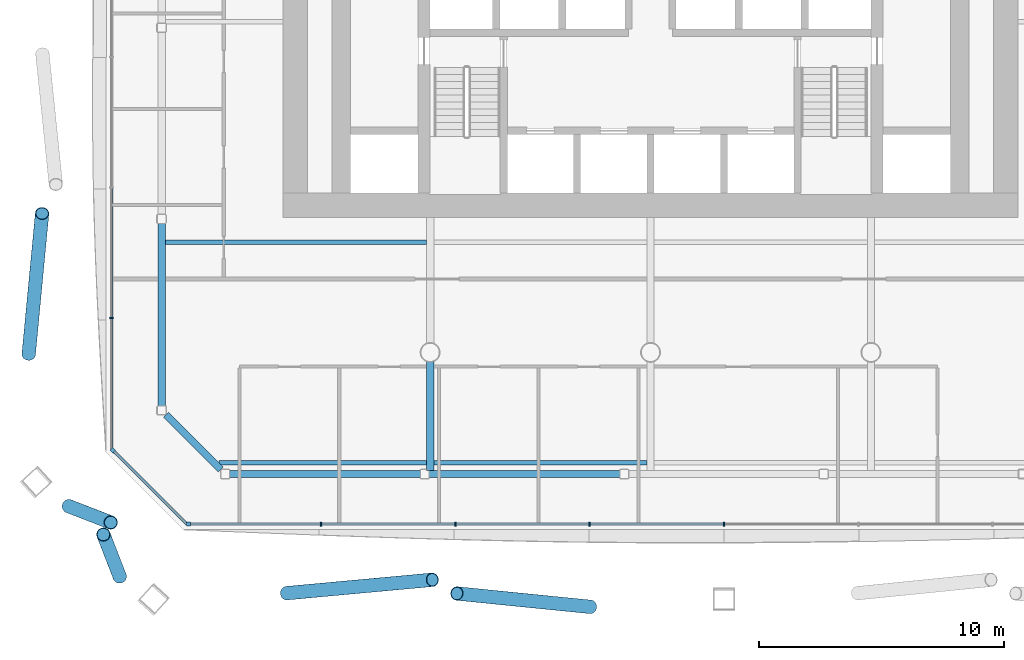
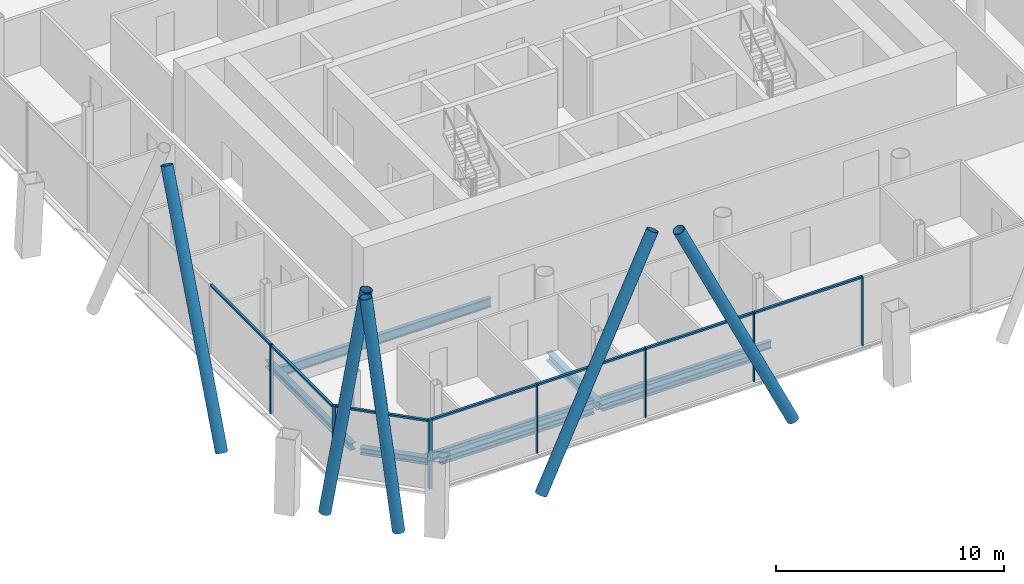
# One storey, part 3 of 22: 19 members, 8 beams, 3 elements without a shape of their own.
"""IFC4 building model written with IfcOpenShell, lengths in metres."""

from ifc_helpers import new_model, si_unit, direction, frame, origin, origin_2d, place, context, subcontext, project, spatial, rectangle, hollow_circle, i_section, extrude, material, material_profile, profile_set, type_object, element, aggregate, save


model = new_model("IFC4")

# Units and contexts
model_context = context("Model", 3, precision=1e-05, world=origin(), true_north=direction((0.0, 1.0)))
body_context = subcontext(model_context, "Body", "Model", "MODEL_VIEW")
ifc_project = project(units=[si_unit("LENGTHUNIT", "METRE"), si_unit("AREAUNIT", "SQUARE_METRE"), si_unit("VOLUMEUNIT", "CUBIC_METRE"), si_unit("PLANEANGLEUNIT", "RADIAN"), si_unit("MASSUNIT", "GRAM", prefix="KILO")], contexts=[model_context])

# Site, building, storey
site_placement = place(None, origin())
site = spatial("IfcSite", under=ifc_project, at=site_placement, CompositionType="ELEMENT")
building_placement = place(site_placement, origin())
building = spatial("IfcBuilding", under=site, at=building_placement, Name="Tskaro Facet Tower", CompositionType="ELEMENT")
storey_placement = place(building_placement, frame((0.0, 0.0, 73.800048828125)))
storey = spatial("IfcBuildingStorey", under=building, at=storey_placement, Name="L17", CompositionType="ELEMENT", Elevation=73.800048828125)

# Members
ifc_material_1 = material(Name="Steel S355J2H", Category="steel")
ifc_material_profile_1 = material_profile(ifc_material_1, hollow_circle(Radius=0.279541015625, WallThickness=0.02490234375, at=origin_2d()), Name="CHS 559x25")
ifc_profile_set_1 = profile_set([ifc_material_profile_1], Name="Steel S355J2H")
member_type_1 = type_object("IfcMemberType", Name="CHS 559x25 brace", PredefinedType="BRACE", material=ifc_profile_set_1)
member_1_placement = place(storey_placement, frame((-14.862060546875, -27.83154296875, 0.0), z_axis=(0.453152917497, 0.041714298006, 0.89045625985), x_axis=(-0.091665907054, 0.995789817925, 0.0)))
element("IfcMember", 1, at=member_1_placement, inside=storey, type_object=member_type_1, Name="CHS 559x25 XB01A/2", PredefinedType="BRACE", context=body_context, shape_type="SweptSolid", body=[
    extrude(hollow_circle(Radius=0.279541015625, WallThickness=0.02490234375, at=origin_2d()), origin(), (0.0, 0.0, 1.0), 13.13916015625),
])
member_2_placement = place(storey_placement, frame((-2.453857421875, -28.390380859375, 0.0), z_axis=(-0.422100605989, 0.042402800602, 0.905556779515), x_axis=(-0.099953544788, -0.994992104936, 0.0)))
element("IfcMember", 2, at=member_2_placement, inside=storey, type_object=member_type_1, Name="CHS 559x25 XB01B/2", PredefinedType="BRACE", context=body_context, shape_type="SweptSolid", body=[
    extrude(hollow_circle(Radius=0.279541015625, WallThickness=0.02490234375, at=origin_2d()), origin(), (0.0, 0.0, 1.0), 12.920166015625),
])
member_3_placement = place(storey_placement, frame((-25.390380859375, -18.0712890625, 0.0), z_axis=(0.041994519137, 0.440362312746, 0.896837495802), x_axis=(-0.995483676483, 0.094932870257, 0.0)))
element("IfcMember", 3, at=member_3_placement, inside=storey, type_object=member_type_1, Name="CHS 559x25 XB11B/2", PredefinedType="BRACE", context=body_context, shape_type="SweptSolid", body=[
    extrude(hollow_circle(Radius=0.279541015625, WallThickness=0.02490234375, at=origin_2d()), origin(), (0.0, 0.0, 1.0), 13.0458984375),
])
for number, where, z_axis, x_axis, name in (
    (4, (-23.750244140625, -24.281005859375, 0.0), (0.144468830784, -0.055969303022, 0.987925196587), (0.36125165478, 0.932468359741, 0.0), "CHS 559x25 XB12A/2"),
    (5, (-21.67626953125, -27.145751953125, 0.0), (-0.055969136323, 0.144489015281, 0.987922254149), (-0.932485720907, -0.361206838674, 0.0), "CHS 559x25 XB12B/2"),
):
    element("IfcMember", number, at=place(storey_placement, frame(where, z_axis=z_axis, x_axis=x_axis)), inside=storey, type_object=member_type_1, Name=name, PredefinedType="BRACE", context=body_context, shape_type="SweptSolid", body=[
        extrude(hollow_circle(Radius=0.279541015625, WallThickness=0.02490234375, at=origin_2d()), origin(), (0.0, 0.0, 1.0), 11.843017578125),
    ])

# Curtain wall, member
ifc_material_2 = material(Name="Bronze anodised aluminium 6063-T6", Category="aluminium")
curtain_wall_type = type_object("IfcCurtainWallType", Name="Bronze office curtain wall (FW1)", PredefinedType="NOTDEFINED", material=ifc_material_2)
curtain_wall_1_placement = place(storey_placement, origin())
curtain_wall_1 = element("IfcCurtainWall", 6, at=curtain_wall_1_placement, inside=storey, type_object=curtain_wall_type, Name="FW1 south facet L17", PredefinedType="NOTDEFINED")
ifc_material_profile_2 = material_profile(ifc_material_2, rectangle(XDim=0.159912109375, YDim=0.159912109375, at=origin_2d()), Name="Corner post 160x160")
ifc_profile_set_2 = profile_set([ifc_material_profile_2], Name="Bronze anodised aluminium 6063-T6")
member_type_2 = type_object("IfcMemberType", Name="FW1 bronze corner post 160x160", PredefinedType="MULLION", material=ifc_profile_set_2)
member_4_placement = place(storey_placement, frame((-18.85888671875, -25.010986328125, 0.0), z_axis=(0.0, 0.0, 1.0), x_axis=(1.0, 0.0, 0.0)))
member_4 = element("IfcMember", 7, at=member_4_placement, type_object=member_type_2, Name="FW1 south corner post", PredefinedType="MULLION", context=body_context, shape_type="SweptSolid", body=[
    extrude(rectangle(XDim=0.159912109375, YDim=0.159912109375, at=origin_2d()), origin(), (0.0, 0.0, 1.0), 3.699951171875),
])

curtain_wall_2_placement = place(storey_placement, origin())
curtain_wall_2 = element("IfcCurtainWall", 8, at=curtain_wall_2_placement, inside=storey, type_object=curtain_wall_type, Name="FW1 south-west facet L17", PredefinedType="NOTDEFINED")
member_5_placement = place(storey_placement, frame((-21.954345703125, -21.99560546875, 0.0), z_axis=(0.0, 0.0, 1.0), x_axis=(0.707106781187, -0.707106781187, 0.0)))
member_5 = element("IfcMember", 9, at=member_5_placement, type_object=member_type_2, Name="FW1 south-west corner post", PredefinedType="MULLION", context=body_context, shape_type="SweptSolid", body=[
    extrude(rectangle(XDim=0.159912109375, YDim=0.159912109375, at=origin_2d()), origin(), (0.0, 0.0, 1.0), 3.699951171875),
])

# Member
ifc_material_profile_3 = material_profile(ifc_material_2, rectangle(XDim=0.06005859375, YDim=0.159912109375, at=origin_2d()), Name="Mullion 60x160")
ifc_profile_set_3 = profile_set([ifc_material_profile_3], Name="Bronze anodised aluminium 6063-T6")
member_type_3 = type_object("IfcMemberType", Name="FW1 bronze mullion 60x160", PredefinedType="MULLION", material=ifc_profile_set_3)
member_6_placement = place(storey_placement, frame((-13.454345703125, -25.010986328125, 0.0), z_axis=(0.0, 0.0, 1.0), x_axis=(1.0, 0.0, 0.0)))
member_6 = element("IfcMember", 10, at=member_6_placement, type_object=member_type_3, Name="FW1 south mullion 1", PredefinedType="MULLION", context=body_context, shape_type="SweptSolid", body=[
    extrude(rectangle(XDim=0.06005859375, YDim=0.159912109375, at=origin_2d()), origin(), (0.0, 0.0, 1.0), 3.699951171875),
])

member_7_placement = place(storey_placement, frame((-7.969482421875, -25.010986328125, 0.0), z_axis=(0.0, 0.0, 1.0), x_axis=(1.0, 0.0, 0.0)))
member_7 = element("IfcMember", 11, at=member_7_placement, type_object=member_type_3, Name="FW1 south mullion 2", PredefinedType="MULLION", context=body_context, shape_type="SweptSolid", body=[
    extrude(rectangle(XDim=0.06005859375, YDim=0.159912109375, at=origin_2d()), origin(), (0.0, 0.0, 1.0), 3.699951171875),
])

member_8_placement = place(storey_placement, frame((-2.48486328125, -25.010986328125, 0.0), z_axis=(0.0, 0.0, 1.0), x_axis=(1.0, 0.0, 0.0)))
member_8 = element("IfcMember", 12, at=member_8_placement, type_object=member_type_3, Name="FW1 south mullion 3", PredefinedType="MULLION", context=body_context, shape_type="SweptSolid", body=[
    extrude(rectangle(XDim=0.06005859375, YDim=0.159912109375, at=origin_2d()), origin(), (0.0, 0.0, 1.0), 3.699951171875),
])

member_9_placement = place(storey_placement, frame((3.0, -25.010986328125, 0.0), z_axis=(0.0, 0.0, 1.0), x_axis=(1.0, 0.0, 0.0)))
member_9 = element("IfcMember", 13, at=member_9_placement, type_object=member_type_3, Name="FW1 south mullion 4", PredefinedType="MULLION", context=body_context, shape_type="SweptSolid", body=[
    extrude(rectangle(XDim=0.06005859375, YDim=0.159912109375, at=origin_2d()), origin(), (0.0, 0.0, 1.0), 3.699951171875),
])

# Curtain wall, member
curtain_wall_3_placement = place(storey_placement, origin())
curtain_wall_3 = element("IfcCurtainWall", 14, at=curtain_wall_3_placement, inside=storey, type_object=curtain_wall_type, Name="FW1 west facet L17", PredefinedType="NOTDEFINED")
member_10_placement = place(storey_placement, frame((-22.010986328125, -16.603515625, 0.0), z_axis=(0.0, 0.0, 1.0), x_axis=(0.0, -1.0, 0.0)))
member_10 = element("IfcMember", 15, at=member_10_placement, type_object=member_type_3, Name="FW1 west mullion 7", PredefinedType="MULLION", context=body_context, shape_type="SweptSolid", body=[
    extrude(rectangle(XDim=0.06005859375, YDim=0.159912109375, at=origin_2d()), origin(), (0.0, 0.0, 1.0), 3.699951171875),
])

# Member
ifc_material_profile_4 = material_profile(ifc_material_2, rectangle(XDim=0.1201171875, YDim=0.10009765625, at=origin_2d()), Name="Transom 120x100")
ifc_profile_set_4 = profile_set([ifc_material_profile_4], Name="Bronze anodised aluminium 6063-T6")
member_type_4 = type_object("IfcMemberType", Name="FW1 bronze transom 120x100", PredefinedType="USERDEFINED", material=ifc_profile_set_4)
member_11_placement = place(storey_placement, frame((-18.779052734375, -25.010986328125, 3.64990234375), z_axis=(1.0, 0.0, 0.0), x_axis=(0.0, 1.0, 0.0)))
member_11 = element("IfcMember", 16, at=member_11_placement, type_object=member_type_4, Name="FW1 south transom 1.1", ObjectType="TRANSOM", PredefinedType="USERDEFINED", context=body_context, shape_type="SweptSolid", body=[
    extrude(rectangle(XDim=0.1201171875, YDim=0.10009765625, at=origin_2d()), origin(), (0.0, 0.0, 1.0), 5.294921875),
])

member_12_placement = place(storey_placement, frame((-13.42431640625, -25.010986328125, 3.64990234375), z_axis=(1.0, 0.0, 0.0), x_axis=(0.0, 1.0, 0.0)))
member_12 = element("IfcMember", 17, at=member_12_placement, type_object=member_type_4, Name="FW1 south transom 2.1", ObjectType="TRANSOM", PredefinedType="USERDEFINED", context=body_context, shape_type="SweptSolid", body=[
    extrude(rectangle(XDim=0.1201171875, YDim=0.10009765625, at=origin_2d()), origin(), (0.0, 0.0, 1.0), 5.4248046875),
])

member_13_placement = place(storey_placement, frame((-7.939453125, -25.010986328125, 3.64990234375), z_axis=(1.0, 0.0, 0.0), x_axis=(0.0, 1.0, 0.0)))
member_13 = element("IfcMember", 18, at=member_13_placement, type_object=member_type_4, Name="FW1 south transom 3.1", ObjectType="TRANSOM", PredefinedType="USERDEFINED", context=body_context, shape_type="SweptSolid", body=[
    extrude(rectangle(XDim=0.1201171875, YDim=0.10009765625, at=origin_2d()), origin(), (0.0, 0.0, 1.0), 5.4248046875),
])

member_14_placement = place(storey_placement, frame((-2.454833984375, -25.010986328125, 3.64990234375), z_axis=(1.0, 0.0, 0.0), x_axis=(0.0, 1.0, 0.0)))
member_14 = element("IfcMember", 19, at=member_14_placement, type_object=member_type_4, Name="FW1 south transom 4.1", ObjectType="TRANSOM", PredefinedType="USERDEFINED", context=body_context, shape_type="SweptSolid", body=[
    extrude(rectangle(XDim=0.1201171875, YDim=0.10009765625, at=origin_2d()), origin(), (0.0, 0.0, 1.0), 5.4248046875),
])

aggregate(curtain_wall_1, [member_4, member_6, member_7, member_8, member_9, member_11, member_12, member_13, member_14])

member_15_placement = place(storey_placement, frame((-22.010986328125, -11.29833984375, 3.64990234375), z_axis=(0.0, -1.0, 0.0), x_axis=(1.0, 0.0, 0.0)))
member_15 = element("IfcMember", 20, at=member_15_placement, type_object=member_type_4, Name="FW1 west transom 7.1", ObjectType="TRANSOM", PredefinedType="USERDEFINED", context=body_context, shape_type="SweptSolid", body=[
    extrude(rectangle(XDim=0.1201171875, YDim=0.10009765625, at=origin_2d()), origin(), (0.0, 0.0, 1.0), 5.275390625),
])

member_16_placement = place(storey_placement, frame((-22.010986328125, -16.633544921875, 3.64990234375), z_axis=(0.0, -1.0, 0.0), x_axis=(1.0, 0.0, 0.0)))
member_16 = element("IfcMember", 21, at=member_16_placement, type_object=member_type_4, Name="FW1 west transom 8.1", ObjectType="TRANSOM", PredefinedType="USERDEFINED", context=body_context, shape_type="SweptSolid", body=[
    extrude(rectangle(XDim=0.1201171875, YDim=0.10009765625, at=origin_2d()), origin(), (0.0, 0.0, 1.0), 5.305419921875),
])

aggregate(curtain_wall_3, [member_10, member_15, member_16])

member_17_placement = place(storey_placement, frame((-21.89794921875, -22.05224609375, 3.64990234375), z_axis=(0.70713595286, -0.70707760831, 0.0), x_axis=(0.70707760831, 0.70713595286, 0.0)))
member_17 = element("IfcMember", 22, at=member_17_placement, type_object=member_type_4, Name="FW1 south-west transom 1.1", ObjectType="TRANSOM", PredefinedType="USERDEFINED", context=body_context, shape_type="SweptSolid", body=[
    extrude(rectangle(XDim=0.1201171875, YDim=0.10009765625, at=origin_2d()), origin(), (0.0, 0.0, 1.0), 4.1845703125),
])

aggregate(curtain_wall_2, [member_5, member_17])

# Beams
ifc_material_3 = material(Name="Steel S355J2", Category="steel")
ifc_material_profile_5 = material_profile(ifc_material_3, i_section(OverallWidth=0.300048828125, OverallDepth=0.360107421875, WebThickness=0.012451171875, FlangeThickness=0.0224609375, FilletRadius=0.027099609375, at=origin_2d()), Name="HE 360 B")
ifc_profile_set_5 = profile_set([ifc_material_profile_5], Name="Steel S355J2")
beam_type_1 = type_object("IfcBeamType", Name="HE 360 B ring beam", PredefinedType="BEAM", material=ifc_profile_set_5)
beam_1_placement = place(storey_placement, frame((-17.18408203125, -22.965087890625, -0.320068359375), z_axis=(1.0, 0.0, 0.0), x_axis=(0.0, 1.0, 0.0)))
element("IfcBeam", 23, at=beam_1_placement, inside=storey, type_object=beam_type_1, Name="HE 360 B EB1-2", PredefinedType="BEAM", context=body_context, shape_type="SweptSolid", body=[
    extrude(i_section(OverallWidth=0.300048828125, OverallDepth=0.360107421875, WebThickness=0.012451171875, FlangeThickness=0.0224609375, FilletRadius=0.027099609375, at=origin_2d()), origin(), (0.0, 0.0, 1.0), 7.7861328125),
])
beam_2_placement = place(storey_placement, frame((-9.0380859375, -22.965087890625, -0.320068359375), z_axis=(1.0, 0.0, 0.0), x_axis=(0.0, 1.0, 0.0)))
element("IfcBeam", 24, at=beam_2_placement, inside=storey, type_object=beam_type_1, Name="HE 360 B EB2-2", PredefinedType="BEAM", context=body_context, shape_type="SweptSolid", body=[
    extrude(i_section(OverallWidth=0.300048828125, OverallDepth=0.360107421875, WebThickness=0.012451171875, FlangeThickness=0.0224609375, FilletRadius=0.027099609375, at=origin_2d()), origin(), (0.0, 0.0, 1.0), 7.78515625),
])
beam_3_placement = place(storey_placement, frame((-19.965087890625, -12.73291015625, -0.320068359375), z_axis=(0.0, -1.0, 0.0), x_axis=(1.0, 0.0, 0.0)))
element("IfcBeam", 25, at=beam_3_placement, inside=storey, type_object=beam_type_1, Name="HE 360 B EB23-2", PredefinedType="BEAM", context=body_context, shape_type="SweptSolid", body=[
    extrude(i_section(OverallWidth=0.300048828125, OverallDepth=0.360107421875, WebThickness=0.012451171875, FlangeThickness=0.0224609375, FilletRadius=0.027099609375, at=origin_2d()), origin(), (0.0, 0.0, 1.0), 7.451171875),
])
beam_4_placement = place(storey_placement, frame((-19.779052734375, -20.5498046875, -0.320068359375), z_axis=(0.707106781187, -0.707106781187, 0.0), x_axis=(0.707106781187, 0.707106781187, 0.0)))
element("IfcBeam", 26, at=beam_4_placement, inside=storey, type_object=beam_type_1, Name="HE 360 B EB24-2", PredefinedType="BEAM", context=body_context, shape_type="SweptSolid", body=[
    extrude(i_section(OverallWidth=0.300048828125, OverallDepth=0.360107421875, WebThickness=0.012451171875, FlangeThickness=0.0224609375, FilletRadius=0.027099609375, at=origin_2d()), origin(), (0.0, 0.0, 1.0), 3.152587890625),
])
ifc_material_profile_6 = material_profile(ifc_material_3, i_section(OverallWidth=0.300048828125, OverallDepth=0.43994140625, WebThickness=0.011474609375, FlangeThickness=0.02099609375, FilletRadius=0.027099609375, at=origin_2d()), Name="HE 450 A")
ifc_profile_set_6 = profile_set([ifc_material_profile_6], Name="Steel S355J2")
beam_type_2 = type_object("IfcBeamType", Name="HE 450 A girder", PredefinedType="BEAM", material=ifc_profile_set_6)
beam_5_placement = place(storey_placement, frame((-9.0, -22.81494140625, -0.360107421875), z_axis=(0.0, 1.0, 0.0), x_axis=(-1.0, 0.0, 0.0)))
element("IfcBeam", 27, at=beam_5_placement, inside=storey, type_object=beam_type_2, Name="HE 450 A GB3-1-2", PredefinedType="BEAM", context=body_context, shape_type="SweptSolid", body=[
    extrude(i_section(OverallWidth=0.300048828125, OverallDepth=0.43994140625, WebThickness=0.011474609375, FlangeThickness=0.02099609375, FilletRadius=0.027099609375, at=origin_2d()), origin(), (0.0, 0.0, 1.0), 4.4384765625),
])
ifc_material_profile_7 = material_profile(ifc_material_3, i_section(OverallWidth=0.179931640625, OverallDepth=0.39990234375, WebThickness=0.008544921875, FlangeThickness=0.013427734375, FilletRadius=0.02099609375, at=origin_2d()), Name="IPE 400")
ifc_profile_set_7 = profile_set([ifc_material_profile_7], Name="Steel S355J2")
beam_type_3 = type_object("IfcBeamType", Name="IPE 400 secondary beam", PredefinedType="BEAM", material=ifc_profile_set_7)
beam_6_placement = place(storey_placement, frame((-17.616943359375, -22.5, -0.340087890625), z_axis=(1.0, 0.0, 0.0), x_axis=(0.0, 1.0, 0.0)))
element("IfcBeam", 28, at=beam_6_placement, inside=storey, type_object=beam_type_3, Name="IPE 400 SB1a-1-2", PredefinedType="BEAM", context=body_context, shape_type="SweptSolid", body=[
    extrude(i_section(OverallWidth=0.179931640625, OverallDepth=0.39990234375, WebThickness=0.008544921875, FlangeThickness=0.013427734375, FilletRadius=0.02099609375, at=origin_2d()), origin(), (0.0, 0.0, 1.0), 8.467041015625),
])
beam_7_placement = place(storey_placement, frame((-8.85009765625, -22.5, -0.340087890625), z_axis=(1.0, 0.0, 0.0), x_axis=(0.0, 1.0, 0.0)))
element("IfcBeam", 29, at=beam_7_placement, inside=storey, type_object=beam_type_3, Name="IPE 400 SB1a-2-2", PredefinedType="BEAM", context=body_context, shape_type="SweptSolid", body=[
    extrude(i_section(OverallWidth=0.179931640625, OverallDepth=0.39990234375, WebThickness=0.008544921875, FlangeThickness=0.013427734375, FilletRadius=0.02099609375, at=origin_2d()), origin(), (0.0, 0.0, 1.0), 8.7001953125),
])
ifc_material_profile_8 = material_profile(ifc_material_3, i_section(OverallWidth=0.199951171875, OverallDepth=0.5, WebThickness=0.01025390625, FlangeThickness=0.01611328125, FilletRadius=0.02099609375, at=origin_2d()), Name="IPE 500")
ifc_profile_set_8 = profile_set([ifc_material_profile_8], Name="Steel S355J2")
beam_type_4 = type_object("IfcBeamType", Name="IPE 500 long secondary beam", PredefinedType="BEAM", material=ifc_profile_set_8)
beam_8_placement = place(storey_placement, frame((-19.81494140625, -13.5, -0.39013671875), z_axis=(1.0, 0.0, 0.0), x_axis=(0.0, 1.0, 0.0)))
element("IfcBeam", 30, at=beam_8_placement, inside=storey, type_object=beam_type_4, Name="IPE 500 LSB2a-1-2", PredefinedType="BEAM", context=body_context, shape_type="SweptSolid", body=[
    extrude(i_section(OverallWidth=0.199951171875, OverallDepth=0.5, WebThickness=0.01025390625, FlangeThickness=0.01611328125, FilletRadius=0.02099609375, at=origin_2d()), origin(), (0.0, 0.0, 1.0), 10.6650390625),
])

save(model, "model.ifc")
